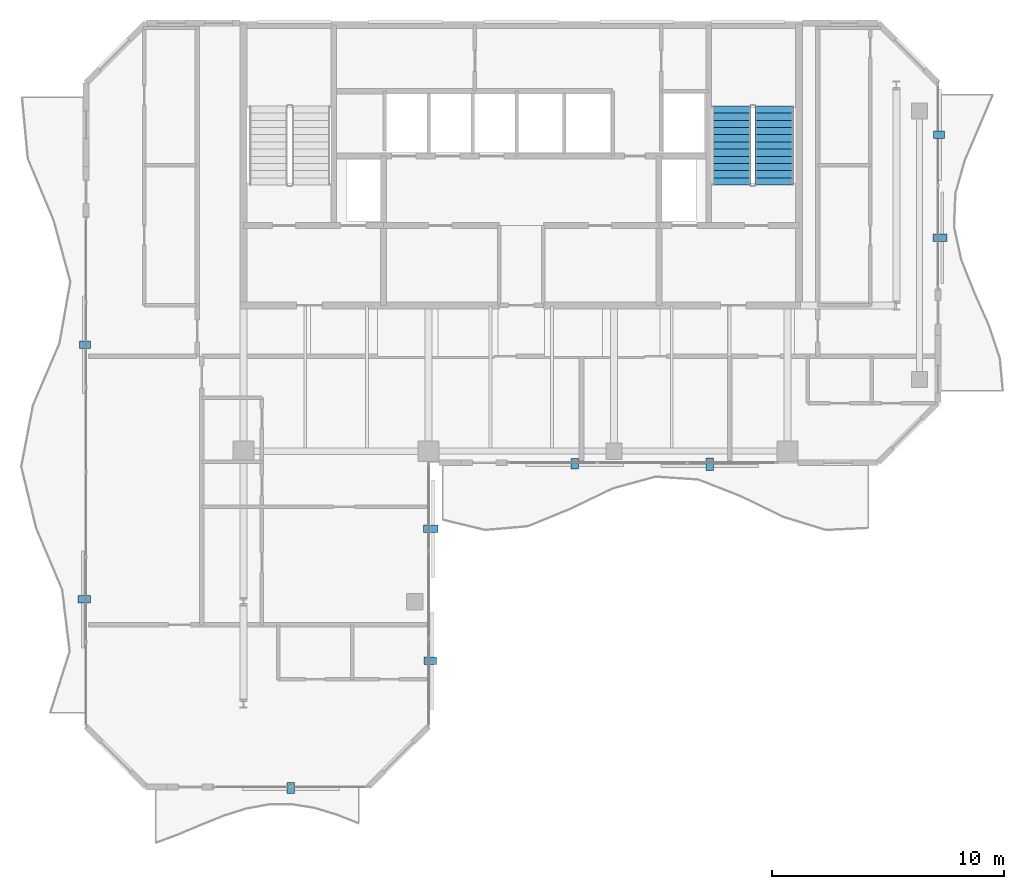
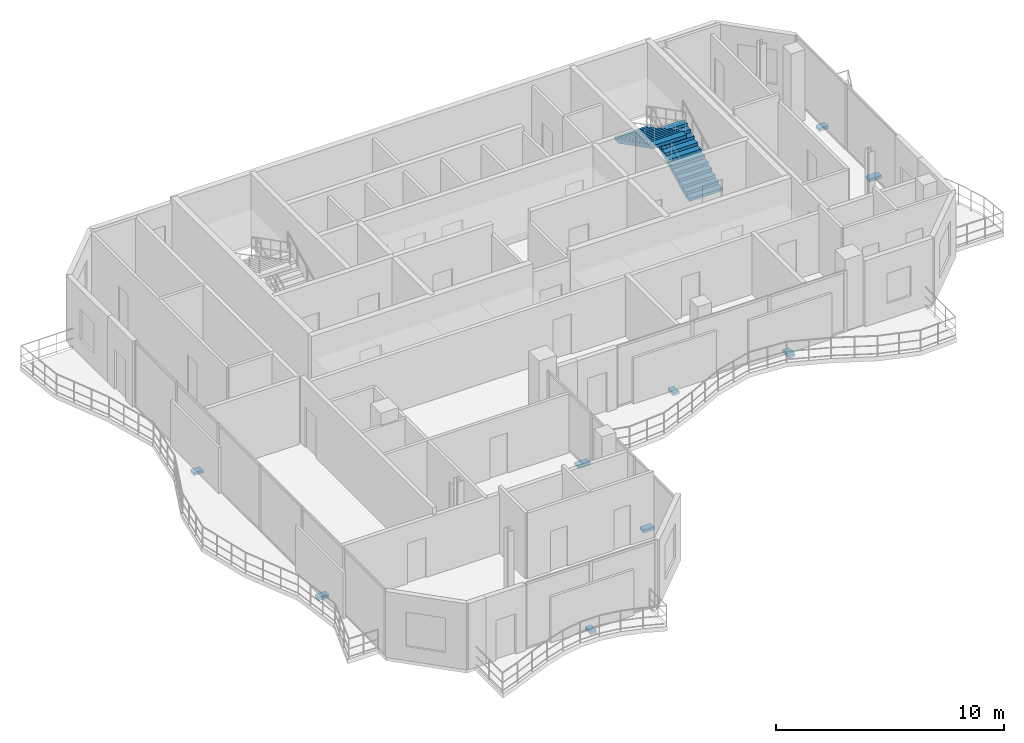
# One storey, part 15 of 17: 9 discrete accessories, 2 stair flights, 1 element without a shape of its own.
"""IFC4 building model written with IfcOpenShell, lengths in metres."""

from ifc_helpers import new_model, si_unit, direction, frame, origin, origin_2d, place, context, subcontext, project, spatial, polyline, rectangle, outline, extrude, material, type_object, element, aggregate, save


model = new_model("IFC4")

# Units and contexts
model_context = context("Model", 3, precision=1e-05, world=origin(), true_north=direction((0.0, 1.0)))
body_context = subcontext(model_context, "Body", "Model", "MODEL_VIEW")
ifc_project = project(units=[si_unit("LENGTHUNIT", "METRE"), si_unit("AREAUNIT", "SQUARE_METRE"), si_unit("VOLUMEUNIT", "CUBIC_METRE"), si_unit("PLANEANGLEUNIT", "RADIAN"), si_unit("MASSUNIT", "GRAM", prefix="KILO")], contexts=[model_context])

# Site, building, storey
site_placement = place(None, origin())
site = spatial("IfcSite", under=ifc_project, at=site_placement, CompositionType="ELEMENT")
building_placement = place(site_placement, origin())
building = spatial("IfcBuilding", under=site, at=building_placement, Name="Catumbela Crestline Tower", CompositionType="ELEMENT")
storey_placement = place(building_placement, frame((0.0, 0.0, 279.2)))
storey = spatial("IfcBuildingStorey", under=building, at=storey_placement, Name="L72", CompositionType="ELEMENT", Elevation=279.2)

# Stair, stair flights
ifc_material_1 = material(Name="Concrete C45/55", Category="concrete")
stair_type = type_object("IfcStairType", Name="ST-DLG", PredefinedType="HALF_TURN_STAIR", material=ifc_material_1)
stair_placement = place(storey_placement, origin())
stair = element("IfcStair", 1, at=stair_placement, inside=storey, type_object=stair_type, Name="L72 East Core Pressurised Exit Stair ST-02", PredefinedType="HALF_TURN_STAIR")
stair_flight_type = type_object("IfcStairFlightType", Name="SF-1583", PredefinedType="STRAIGHT", material=ifc_material_1)
stair_flight_1_placement = place(storey_placement, frame((38.92, 36.0, 0.0), z_axis=(0.0, 0.0, 1.0), x_axis=(0.0, 1.0, 0.0)))
stair_flight_1 = element("IfcStairFlight", 2, at=stair_flight_1_placement, type_object=stair_flight_type, Name="ST-02 flight 1", NumberOfRisers=12, NumberOfTreads=11, PredefinedType="STRAIGHT", RiserHeight=0.158333333, TreadLength=0.31, context=body_context, shape_type="SweptSolid", body=[
    extrude(outline(polyline([(0.0, 0.0), (0.0, 0.1583), (0.31, 0.1583), (0.31, 0.3167), (0.62, 0.3167), (0.62, 0.475), (0.93, 0.475), (0.93, 0.6333), (1.24, 0.6333), (1.24, 0.7917), (1.55, 0.7917), (1.55, 0.95), (1.86, 0.95), (1.86, 1.1083), (2.17, 1.1083), (2.17, 1.2667), (2.48, 1.2667), (2.48, 1.425), (2.79, 1.425), (2.79, 1.5833), (3.1, 1.5833), (3.1, 1.7417), (3.41, 1.7417), (3.41, 1.9), (3.41, 1.562), (0.3518, 0.0), (0.0, 0.0)])), frame((0.0, 0.83, 0.0), z_axis=(0.0, -1.0, 0.0), x_axis=(1.0, 0.0, 0.0)), (0.0, 0.0, 1.0), 1.66),
])
stair_flight_2_placement = place(storey_placement, frame((37.08, 39.41, 1.9), z_axis=(0.0, 0.0, 1.0), x_axis=(0.0, -1.0, 0.0)))
stair_flight_2 = element("IfcStairFlight", 3, at=stair_flight_2_placement, type_object=stair_flight_type, Name="ST-02 flight 2", NumberOfRisers=12, NumberOfTreads=11, PredefinedType="STRAIGHT", RiserHeight=0.158333333, TreadLength=0.31, context=body_context, shape_type="SweptSolid", body=[
    extrude(outline(polyline([(0.0, 0.0), (0.0, 0.1583), (0.31, 0.1583), (0.31, 0.3167), (0.62, 0.3167), (0.62, 0.475), (0.93, 0.475), (0.93, 0.6333), (1.24, 0.6333), (1.24, 0.7917), (1.55, 0.7917), (1.55, 0.95), (1.86, 0.95), (1.86, 1.1083), (2.17, 1.1083), (2.17, 1.2667), (2.48, 1.2667), (2.48, 1.425), (2.79, 1.425), (2.79, 1.5833), (3.1, 1.5833), (3.1, 1.7417), (3.41, 1.7417), (3.41, 1.9), (3.41, 1.562), (0.3518, 0.0), (0.0, 0.0)])), frame((0.0, 0.83, 0.0), z_axis=(0.0, -1.0, 0.0), x_axis=(1.0, 0.0, 0.0)), (0.0, 0.0, 1.0), 1.66),
])
aggregate(stair, [stair_flight_1, stair_flight_2])

# Discrete accessories
ifc_material_2 = material(Name="Stainless steel EN 1.4401", Category="steel")
discrete_accessory_type = type_object("IfcDiscreteAccessoryType", Name="BK-SS1", PredefinedType="BRACKET", material=ifc_material_2)
discrete_accessory_1_placement = place(storey_placement, frame((18.05, 9.955, -0.18), z_axis=(0.0, 0.0, 1.0), x_axis=(1.0, 0.0, 0.0)))
element("IfcDiscreteAccessory", 4, at=discrete_accessory_1_placement, inside=storey, type_object=discrete_accessory_type, Name="L72 Solar Screen Stainless Bracket 887", PredefinedType="BRACKET", context=body_context, shape_type="SweptSolid", body=[
    extrude(rectangle(XDim=0.32, YDim=0.46, at=origin_2d()), origin(), (0.0, 0.0, 1.0), 0.16),
])
discrete_accessory_2_placement = place(storey_placement, frame((24.065, 15.45, -0.18), z_axis=(0.0, 0.0, 1.0), x_axis=(0.0, 1.0, 0.0)))
element("IfcDiscreteAccessory", 5, at=discrete_accessory_2_placement, inside=storey, type_object=discrete_accessory_type, Name="L72 Solar Screen Stainless Bracket 888", PredefinedType="BRACKET", context=body_context, shape_type="SweptSolid", body=[
    extrude(rectangle(XDim=0.32, YDim=0.54, at=origin_2d()), origin(), (0.0, 0.0, 1.0), 0.16),
])
discrete_accessory_3_placement = place(storey_placement, frame((24.085, 21.15, -0.18), z_axis=(0.0, 0.0, 1.0), x_axis=(0.0, 1.0, 0.0)))
element("IfcDiscreteAccessory", 6, at=discrete_accessory_3_placement, inside=storey, type_object=discrete_accessory_type, Name="L72 Solar Screen Stainless Bracket 889", PredefinedType="BRACKET", context=body_context, shape_type="SweptSolid", body=[
    extrude(rectangle(XDim=0.32, YDim=0.62, at=origin_2d()), origin(), (0.0, 0.0, 1.0), 0.16),
])
discrete_accessory_4_placement = place(storey_placement, frame((30.3125, 23.955, -0.18), z_axis=(0.0, 0.0, 1.0), x_axis=(1.0, 0.0, 0.0)))
element("IfcDiscreteAccessory", 7, at=discrete_accessory_4_placement, inside=storey, type_object=discrete_accessory_type, Name="L72 Solar Screen Stainless Bracket 890", PredefinedType="BRACKET", context=body_context, shape_type="SweptSolid", body=[
    extrude(rectangle(XDim=0.32, YDim=0.46, at=origin_2d()), origin(), (0.0, 0.0, 1.0), 0.16),
])
discrete_accessory_5_placement = place(storey_placement, frame((36.1375, 23.935, -0.18), z_axis=(0.0, 0.0, 1.0), x_axis=(1.0, 0.0, 0.0)))
element("IfcDiscreteAccessory", 8, at=discrete_accessory_5_placement, inside=storey, type_object=discrete_accessory_type, Name="L72 Solar Screen Stainless Bracket 891", PredefinedType="BRACKET", context=body_context, shape_type="SweptSolid", body=[
    extrude(rectangle(XDim=0.32, YDim=0.54, at=origin_2d()), origin(), (0.0, 0.0, 1.0), 0.16),
])
discrete_accessory_6_placement = place(storey_placement, frame((46.085, 33.725, -0.18), z_axis=(0.0, 0.0, 1.0), x_axis=(0.0, 1.0, 0.0)))
element("IfcDiscreteAccessory", 9, at=discrete_accessory_6_placement, inside=storey, type_object=discrete_accessory_type, Name="L72 Solar Screen Stainless Bracket 892", PredefinedType="BRACKET", context=body_context, shape_type="SweptSolid", body=[
    extrude(rectangle(XDim=0.32, YDim=0.62, at=origin_2d()), origin(), (0.0, 0.0, 1.0), 0.16),
])
for number, where, z_axis, x_axis, name in (
    (10, (46.045, 38.175, -0.18), (0.0, 0.0, 1.0), (0.0, 1.0, 0.0), "L72 Solar Screen Stainless Bracket 893"),
    (11, (9.155, 29.1, -0.18), (0.0, 0.0, 1.0), (0.0, -1.0, 0.0), "L72 Solar Screen Stainless Bracket 894"),
):
    element("IfcDiscreteAccessory", number, at=place(storey_placement, frame(where, z_axis=z_axis, x_axis=x_axis)), inside=storey, type_object=discrete_accessory_type, Name=name, PredefinedType="BRACKET", context=body_context, shape_type="SweptSolid", body=[
        extrude(rectangle(XDim=0.32, YDim=0.46, at=origin_2d()), origin(), (0.0, 0.0, 1.0), 0.16),
    ])
discrete_accessory_7_placement = place(storey_placement, frame((9.135, 18.1, -0.18), z_axis=(0.0, 0.0, 1.0), x_axis=(0.0, -1.0, 0.0)))
element("IfcDiscreteAccessory", 12, at=discrete_accessory_7_placement, inside=storey, type_object=discrete_accessory_type, Name="L72 Solar Screen Stainless Bracket 895", PredefinedType="BRACKET", context=body_context, shape_type="SweptSolid", body=[
    extrude(rectangle(XDim=0.32, YDim=0.54, at=origin_2d()), origin(), (0.0, 0.0, 1.0), 0.16),
])

save(model, "model.ifc")
